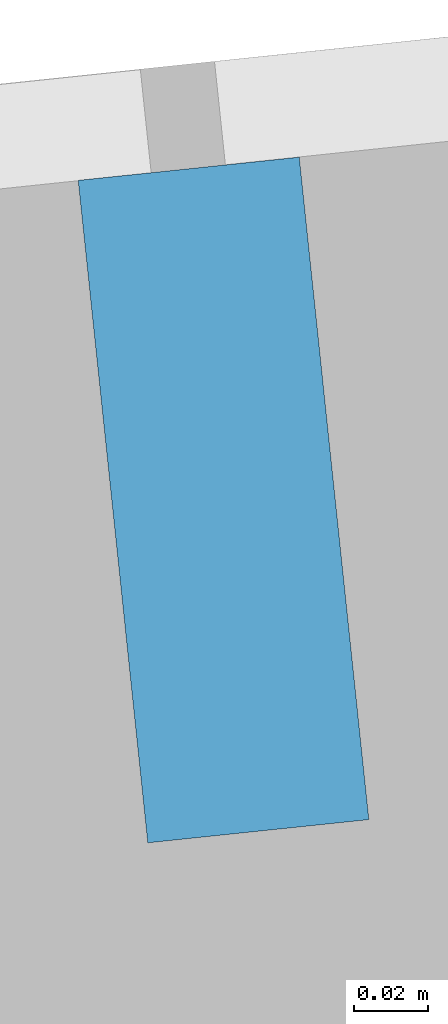
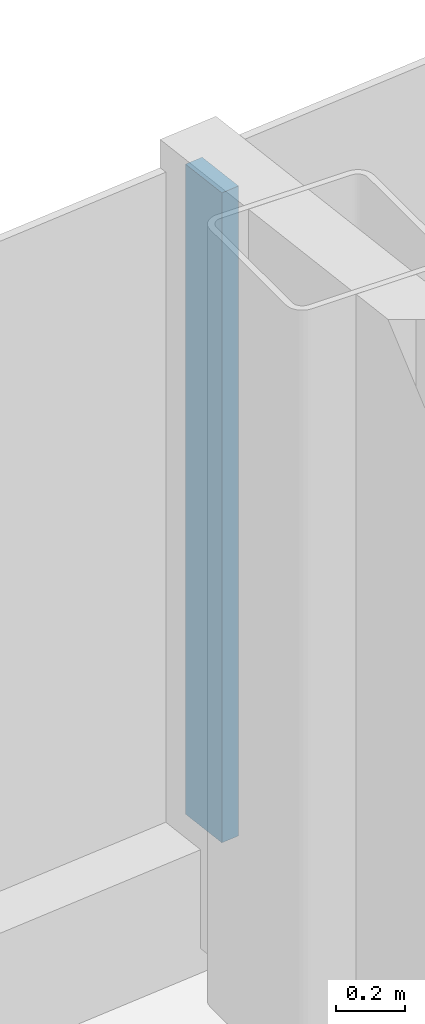
# One storey, part 9 of 27: 1 member, 1 element without a shape of its own.
"""IFC4 building model written with IfcOpenShell, lengths in metres."""

from ifc_helpers import new_model, si_unit, direction, frame, origin, origin_2d, place, context, subcontext, project, spatial, rectangle, extrude, material, layer, layer_set, material_profile, profile_set, type_object, element, aggregate, save


model = new_model("IFC4")

# Units and contexts
model_context = context("Model", 3, precision=1e-05, world=origin(), true_north=direction((0.0, 1.0)))
body_context = subcontext(model_context, "Body", "Model", "MODEL_VIEW")
ifc_project = project(units=[si_unit("LENGTHUNIT", "METRE"), si_unit("AREAUNIT", "SQUARE_METRE"), si_unit("VOLUMEUNIT", "CUBIC_METRE"), si_unit("PLANEANGLEUNIT", "RADIAN"), si_unit("MASSUNIT", "GRAM", prefix="KILO")], contexts=[model_context])

# Site, building, storey
site_placement = place(None, origin())
site = spatial("IfcSite", under=ifc_project, at=site_placement, CompositionType="ELEMENT")
building_placement = place(site_placement, origin())
building = spatial("IfcBuilding", under=site, at=building_placement, Name="Hakoniwa Tower and Hamabe Station Hall", CompositionType="ELEMENT")
storey_placement = place(building_placement, frame((0.0, 0.0, 248.60009765625)))
storey = spatial("IfcBuildingStorey", under=building, at=storey_placement, Name="L70", CompositionType="ELEMENT", Elevation=248.60009765625)

# Curtain wall, member
ifc_material_1 = material(Name="Dark low-e laminated glass", Category="glass")
ifc_layer = layer(ifc_material_1, 0.199951171875)
ifc_layer_set = layer_set([ifc_layer], Name="CW-1 UNITISED GUEST")
curtain_wall_type = type_object("IfcCurtainWallType", Name="CW-1 UNITISED GUEST", PredefinedType="NOTDEFINED", material=ifc_layer_set)
curtain_wall_placement = place(storey_placement, origin())
curtain_wall = element("IfcCurtainWall", 1, at=curtain_wall_placement, inside=storey, type_object=curtain_wall_type, Name="CW-1 curtain wall", PredefinedType="NOTDEFINED")
ifc_material_2 = material(Name="Aluminium 6063-T5 black anodised", Category="aluminium")
ifc_material_profile = material_profile(ifc_material_2, rectangle(XDim=0.06005859375, YDim=0.179931640625, at=origin_2d()), Name="CW-1 MULLION 60X180")
ifc_profile_set = profile_set([ifc_material_profile], Name="Aluminium 6063-T5 black anodised")
member_type = type_object("IfcMemberType", Name="CW-1 MULLION 60X180", PredefinedType="MULLION", material=ifc_profile_set)
member_placement = place(storey_placement, frame((-1.7958984375, 19.587890625, 0.349853515625), z_axis=(0.0, 0.0, 1.0), x_axis=(-0.994521895272, -0.104528464188, 0.0)))
member = element("IfcMember", 2, at=member_placement, type_object=member_type, Name="CW-1 mullion", PredefinedType="MULLION", context=body_context, shape_type="SweptSolid", body=[
    extrude(rectangle(XDim=0.06005859375, YDim=0.179931640625, at=origin_2d()), origin(), (0.0, 0.0, 1.0), 2.300048828125),
])
aggregate(curtain_wall, [member])

save(model, "model.ifc")
